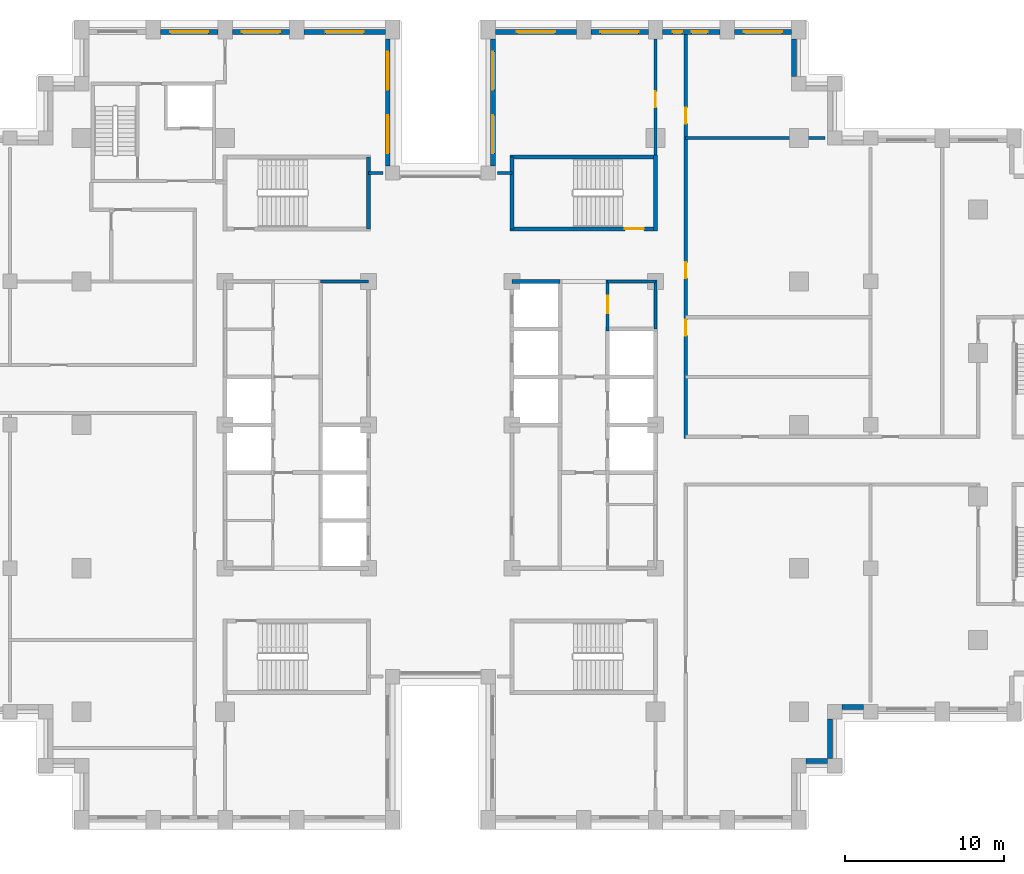
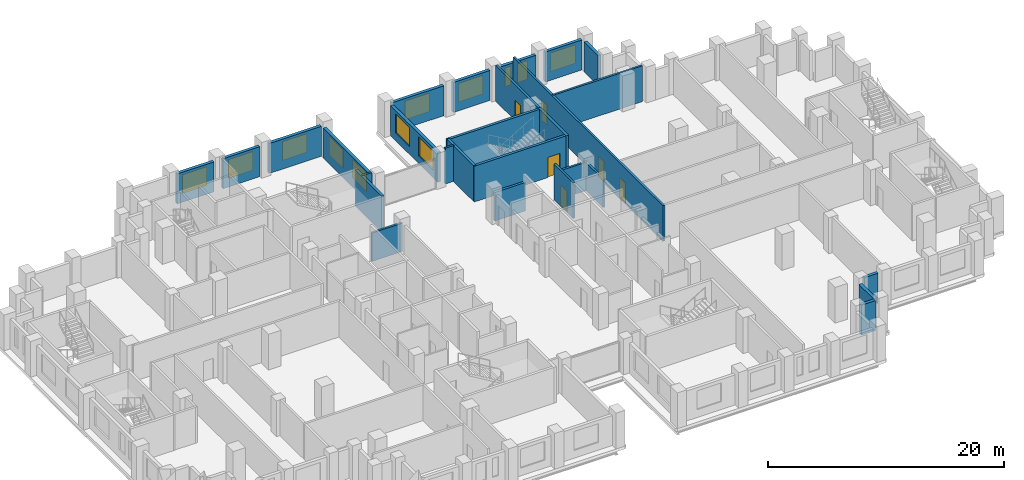
# One storey, part 10 of 15: 28 walls, 12 windows, 6 doors, 18 openings.
"""IFC4 building model written with IfcOpenShell, lengths in metres."""

from ifc_helpers import new_model, si_unit, direction, frame, frame_2d, origin, place, context, subcontext, project, spatial, rectangle, extrude, material, layer, layer_set, type_object, element, fill, save


model = new_model("IFC4")

# Units and contexts
model_context = context("Model", 3, precision=1e-05, world=origin(), true_north=direction((0.0, 1.0)))
body_context = subcontext(model_context, "Body", "Model", "MODEL_VIEW")
ifc_project = project(units=[si_unit("LENGTHUNIT", "METRE"), si_unit("AREAUNIT", "SQUARE_METRE"), si_unit("VOLUMEUNIT", "CUBIC_METRE"), si_unit("PLANEANGLEUNIT", "RADIAN"), si_unit("MASSUNIT", "GRAM", prefix="KILO")], contexts=[model_context])

# Site, building, storey
site_placement = place(None, origin())
site = spatial("IfcSite", under=ifc_project, at=site_placement, CompositionType="ELEMENT")
building_placement = place(site_placement, origin())
building = spatial("IfcBuilding", under=site, at=building_placement, Name="Corbelhall Arena Tower", CompositionType="ELEMENT")
storey_placement = place(building_placement, frame((0.0, 0.0, 84.0)))
storey = spatial("IfcBuildingStorey", under=building, at=storey_placement, Name="L13", CompositionType="ELEMENT", Elevation=84.0)

# Walls
ifc_material_1 = material(Name="Precast concrete C40/50 with granite facing", Category="masonry")
ifc_layer_1 = layer(ifc_material_1, 0.300048828125)
ifc_layer_set_1 = layer_set([ifc_layer_1], Name="EV-IW1 Infill panel 300")
wall_type_1 = type_object("IfcWallType", Name="EV-IW1 Infill panel 300", PredefinedType="SOLIDWALL", material=ifc_layer_set_1)
wall_1_placement = place(storey_placement, frame((22.949951171875, -21.10009765625, 0.0), z_axis=(0.0, 0.0, 1.0), x_axis=(1.0, 0.0, 0.0)))
element("IfcWall", 1, at=wall_1_placement, inside=storey, type_object=wall_type_1, Name="Infill panel IW1", PredefinedType="SOLIDWALL", context=body_context, shape_type="SweptSolid", body=[
    extrude(rectangle(XDim=1.35009765625, YDim=0.300048828125, at=frame_2d((0.675048828125, 0.0))), origin(), (0.0, 0.0, 1.0), 3.10009765625),
])
wall_2_placement = place(storey_placement, frame((24.449951171875, -20.949951171875, 0.0), z_axis=(0.0, 0.0, 1.0), x_axis=(0.0, 1.0, 0.0)))
element("IfcWall", 2, at=wall_2_placement, inside=storey, type_object=wall_type_1, Name="Infill panel IW1", PredefinedType="SOLIDWALL", context=body_context, shape_type="SweptSolid", body=[
    extrude(rectangle(XDim=2.5, YDim=0.300048828125, at=frame_2d((1.25, 0.0))), origin(), (0.0, 0.0, 1.0), 3.10009765625),
])
wall_3_placement = place(storey_placement, frame((25.199951171875, -17.699951171875, 0.0), z_axis=(0.0, 0.0, 1.0), x_axis=(1.0, 0.0, 0.0)))
element("IfcWall", 3, at=wall_3_placement, inside=storey, type_object=wall_type_1, Name="Infill panel IW1", PredefinedType="SOLIDWALL", context=body_context, shape_type="SweptSolid", body=[
    extrude(rectangle(XDim=1.35009765625, YDim=0.300048828125, at=frame_2d((0.675048828125, 0.0))), origin(), (0.0, 0.0, 1.0), 3.10009765625),
])
wall_4_placement = place(storey_placement, frame((22.199951171875, 21.85009765625, 0.0), z_axis=(0.0, 0.0, 1.0), x_axis=(0.0, 1.0, 0.0)))
element("IfcWall", 4, at=wall_4_placement, inside=storey, type_object=wall_type_1, Name="Infill panel IW1", PredefinedType="SOLIDWALL", context=body_context, shape_type="SweptSolid", body=[
    extrude(rectangle(XDim=2.349853515625, YDim=0.300048828125, at=frame_2d((1.1748046875, 0.0))), origin(), (0.0, 0.0, 1.0), 3.10009765625),
])

# Wall, opening, window
wall_5_placement = place(storey_placement, frame((22.050048828125, 24.64990234375, 0.0), z_axis=(0.0, 0.0, 1.0), x_axis=(-1.0, 0.0, 0.0)))
wall_5 = element("IfcWall", 5, at=wall_5_placement, inside=storey, type_object=wall_type_1, Name="Infill panel IW1", PredefinedType="SOLIDWALL", context=body_context, shape_type="SweptSolid", body=[
    extrude(rectangle(XDim=3.60009765625, YDim=0.300048828125, at=frame_2d((1.800048828125, 0.0))), origin(), (0.0, 0.0, 1.0), 3.10009765625),
])
opening_1_placement = place(wall_5_placement, frame((0.60009765625, 0.0, 0.800048828125)))
opening_1 = element("IfcOpeningElement", 6, at=opening_1_placement, cuts=wall_5, Name="Opening WN1", PredefinedType="OPENING", context=body_context, shape_type="SweptSolid", body=[
    extrude(rectangle(XDim=2.39990234375, YDim=1.949951171875, at=frame_2d((1.199951171875, 0.97509765625))), frame((0.0, 0.14990234375, 0.0), z_axis=(0.0, -1.0, 0.0), x_axis=(1.0, 0.0, 0.0)), (0.0, 0.0, 1.0), 0.300048828125),
])
ifc_material_2 = material(Name="Aluminium black anodised", Category="aluminium")
window_type_1 = type_object("IfcWindowType", Name="EV-WN1 Office window", PartitioningType="SINGLE_PANEL", PredefinedType="WINDOW", material=ifc_material_2)
window_1_placement = place(opening_1_placement, origin())
window_1 = element("IfcWindow", 7, at=window_1_placement, inside=storey, type_object=window_type_1, Name="Window WN1", OverallHeight=1.949951171875, OverallWidth=2.39990234375, PartitioningType="SINGLE_PANEL", PredefinedType="WINDOW", context=body_context, shape_type="SweptSolid", body=[
    extrude(rectangle(XDim=2.39990234375, YDim=1.949951171875, at=frame_2d((1.199951171875, 0.97509765625))), frame((0.0, 0.030029296875, 0.0), z_axis=(0.0, -1.0, 0.0), x_axis=(1.0, 0.0, 0.0)), (0.0, 0.0, 1.0), 0.06005859375),
])
fill(opening_1, window_1)

# Wall, openings, windows
wall_6_placement = place(storey_placement, frame((17.550048828125, 24.64990234375, 0.0), z_axis=(0.0, 0.0, 1.0), x_axis=(-1.0, 0.0, 0.0)))
wall_6 = element("IfcWall", 8, at=wall_6_placement, inside=storey, type_object=wall_type_1, Name="Infill panel IW1", PredefinedType="SOLIDWALL", context=body_context, shape_type="SweptSolid", body=[
    extrude(rectangle(XDim=3.60009765625, YDim=0.300048828125, at=frame_2d((1.800048828125, 0.0))), origin(), (0.0, 0.0, 1.0), 3.10009765625),
])
opening_2_placement = place(wall_6_placement, frame((0.77490234375, 0.0, 0.800048828125)))
opening_2 = element("IfcOpeningElement", 9, at=opening_2_placement, cuts=wall_6, Name="Opening WN6", PredefinedType="OPENING", context=body_context, shape_type="SweptSolid", body=[
    extrude(rectangle(XDim=1.0, YDim=1.949951171875, at=frame_2d((0.5, 0.97509765625))), frame((0.0, 0.14990234375, 0.0), z_axis=(0.0, -1.0, 0.0), x_axis=(1.0, 0.0, 0.0)), (0.0, 0.0, 1.0), 0.300048828125),
])
opening_3_placement = place(wall_6_placement, frame((2.375, 0.0, 0.800048828125)))
opening_3 = element("IfcOpeningElement", 10, at=opening_3_placement, cuts=wall_6, Name="Opening WN5", PredefinedType="OPENING", context=body_context, shape_type="SweptSolid", body=[
    extrude(rectangle(XDim=0.60009765625, YDim=1.949951171875, at=frame_2d((0.300048828125, 0.97509765625))), frame((0.0, 0.14990234375, 0.0), z_axis=(0.0, -1.0, 0.0), x_axis=(1.0, 0.0, 0.0)), (0.0, 0.0, 1.0), 0.300048828125),
])
window_type_2 = type_object("IfcWindowType", Name="EV-WN5 Office window 600", PartitioningType="SINGLE_PANEL", PredefinedType="WINDOW", material=ifc_material_2)
window_2_placement = place(opening_3_placement, origin())
window_2 = element("IfcWindow", 11, at=window_2_placement, inside=storey, type_object=window_type_2, Name="Window WN5", OverallHeight=1.949951171875, OverallWidth=0.60009765625, PartitioningType="SINGLE_PANEL", PredefinedType="WINDOW", context=body_context, shape_type="SweptSolid", body=[
    extrude(rectangle(XDim=0.60009765625, YDim=1.949951171875, at=frame_2d((0.300048828125, 0.97509765625))), frame((0.0, 0.030029296875, 0.0), z_axis=(0.0, -1.0, 0.0), x_axis=(1.0, 0.0, 0.0)), (0.0, 0.0, 1.0), 0.06005859375),
])
fill(opening_3, window_2)
window_type_3 = type_object("IfcWindowType", Name="EV-WN6 Office window 1000", PartitioningType="SINGLE_PANEL", PredefinedType="WINDOW", material=ifc_material_2)
window_3_placement = place(opening_2_placement, origin())
window_3 = element("IfcWindow", 12, at=window_3_placement, inside=storey, type_object=window_type_3, Name="Window WN6", OverallHeight=1.949951171875, OverallWidth=1.0, PartitioningType="SINGLE_PANEL", PredefinedType="WINDOW", context=body_context, shape_type="SweptSolid", body=[
    extrude(rectangle(XDim=1.0, YDim=1.949951171875, at=frame_2d((0.5, 0.97509765625))), frame((0.0, 0.030029296875, 0.0), z_axis=(0.0, -1.0, 0.0), x_axis=(1.0, 0.0, 0.0)), (0.0, 0.0, 1.0), 0.06005859375),
])
fill(opening_2, window_3)

# Wall, opening, window
wall_7_placement = place(storey_placement, frame((13.050048828125, 24.64990234375, 0.0), z_axis=(0.0, 0.0, 1.0), x_axis=(-1.0, 0.0, 0.0)))
wall_7 = element("IfcWall", 13, at=wall_7_placement, inside=storey, type_object=wall_type_1, Name="Infill panel IW1", PredefinedType="SOLIDWALL", context=body_context, shape_type="SweptSolid", body=[
    extrude(rectangle(XDim=3.60009765625, YDim=0.300048828125, at=frame_2d((1.800048828125, 0.0))), origin(), (0.0, 0.0, 1.0), 3.10009765625),
])
opening_4_placement = place(wall_7_placement, frame((0.60009765625, 0.0, 0.800048828125)))
opening_4 = element("IfcOpeningElement", 14, at=opening_4_placement, cuts=wall_7, Name="Opening WN1", PredefinedType="OPENING", context=body_context, shape_type="SweptSolid", body=[
    extrude(rectangle(XDim=2.39990234375, YDim=1.949951171875, at=frame_2d((1.199951171875, 0.97509765625))), frame((0.0, 0.14990234375, 0.0), z_axis=(0.0, -1.0, 0.0), x_axis=(1.0, 0.0, 0.0)), (0.0, 0.0, 1.0), 0.300048828125),
])
window_4_placement = place(opening_4_placement, origin())
window_4 = element("IfcWindow", 15, at=window_4_placement, inside=storey, type_object=window_type_1, Name="Window WN1", OverallHeight=1.949951171875, OverallWidth=2.39990234375, PartitioningType="SINGLE_PANEL", PredefinedType="WINDOW", context=body_context, shape_type="SweptSolid", body=[
    extrude(rectangle(XDim=2.39990234375, YDim=1.949951171875, at=frame_2d((1.199951171875, 0.97509765625))), frame((0.0, 0.030029296875, 0.0), z_axis=(0.0, -1.0, 0.0), x_axis=(1.0, 0.0, 0.0)), (0.0, 0.0, 1.0), 0.06005859375),
])
fill(opening_4, window_4)

wall_8_placement = place(storey_placement, frame((8.550048828125, 24.64990234375, 0.0), z_axis=(0.0, 0.0, 1.0), x_axis=(-1.0, 0.0, 0.0)))
wall_8 = element("IfcWall", 16, at=wall_8_placement, inside=storey, type_object=wall_type_1, Name="Infill panel IW1", PredefinedType="SOLIDWALL", context=body_context, shape_type="SweptSolid", body=[
    extrude(rectangle(XDim=5.10009765625, YDim=0.300048828125, at=frame_2d((2.550048828125, 0.0))), origin(), (0.0, 0.0, 1.0), 3.10009765625),
])
opening_5_placement = place(wall_8_placement, frame((1.35009765625, 0.0, 0.800048828125)))
opening_5 = element("IfcOpeningElement", 17, at=opening_5_placement, cuts=wall_8, Name="Opening WN1", PredefinedType="OPENING", context=body_context, shape_type="SweptSolid", body=[
    extrude(rectangle(XDim=2.39990234375, YDim=1.949951171875, at=frame_2d((1.199951171875, 0.97509765625))), frame((0.0, 0.14990234375, 0.0), z_axis=(0.0, -1.0, 0.0), x_axis=(1.0, 0.0, 0.0)), (0.0, 0.0, 1.0), 0.300048828125),
])
window_5_placement = place(opening_5_placement, origin())
window_5 = element("IfcWindow", 18, at=window_5_placement, inside=storey, type_object=window_type_1, Name="Window WN1", OverallHeight=1.949951171875, OverallWidth=2.39990234375, PartitioningType="SINGLE_PANEL", PredefinedType="WINDOW", context=body_context, shape_type="SweptSolid", body=[
    extrude(rectangle(XDim=2.39990234375, YDim=1.949951171875, at=frame_2d((1.199951171875, 0.97509765625))), frame((0.0, 0.030029296875, 0.0), z_axis=(0.0, -1.0, 0.0), x_axis=(1.0, 0.0, 0.0)), (0.0, 0.0, 1.0), 0.06005859375),
])
fill(opening_5, window_5)

# Wall, openings, windows
wall_9_placement = place(storey_placement, frame((3.300048828125, 24.199951171875, 0.0), z_axis=(0.0, 0.0, 1.0), x_axis=(0.0, -1.0, 0.0)))
wall_9 = element("IfcWall", 19, at=wall_9_placement, inside=storey, type_object=wall_type_1, Name="Infill panel IW1", PredefinedType="SOLIDWALL", context=body_context, shape_type="SweptSolid", body=[
    extrude(rectangle(XDim=7.949951171875, YDim=0.300048828125, at=frame_2d((3.97509765625, 0.0))), origin(), (0.0, 0.0, 1.0), 3.10009765625),
])
opening_6_placement = place(wall_9_placement, frame((0.78759765625, 0.0, 0.800048828125)))
opening_6 = element("IfcOpeningElement", 20, at=opening_6_placement, cuts=wall_9, Name="Opening WN1", PredefinedType="OPENING", context=body_context, shape_type="SweptSolid", body=[
    extrude(rectangle(XDim=2.39990234375, YDim=1.949951171875, at=frame_2d((1.199951171875, 0.97509765625))), frame((0.0, 0.14990234375, 0.0), z_axis=(0.0, -1.0, 0.0), x_axis=(1.0, 0.0, 0.0)), (0.0, 0.0, 1.0), 0.300048828125),
])
opening_7_placement = place(wall_9_placement, frame((4.762451171875, 0.0, 0.800048828125)))
opening_7 = element("IfcOpeningElement", 21, at=opening_7_placement, cuts=wall_9, Name="Opening WN1", PredefinedType="OPENING", context=body_context, shape_type="SweptSolid", body=[
    extrude(rectangle(XDim=2.39990234375, YDim=1.949951171875, at=frame_2d((1.199951171875, 0.97509765625))), frame((0.0, 0.14990234375, 0.0), z_axis=(0.0, -1.0, 0.0), x_axis=(1.0, 0.0, 0.0)), (0.0, 0.0, 1.0), 0.300048828125),
])
window_6_placement = place(opening_6_placement, origin())
window_6 = element("IfcWindow", 22, at=window_6_placement, inside=storey, type_object=window_type_1, Name="Window WN1", OverallHeight=1.949951171875, OverallWidth=2.39990234375, PartitioningType="SINGLE_PANEL", PredefinedType="WINDOW", context=body_context, shape_type="SweptSolid", body=[
    extrude(rectangle(XDim=2.39990234375, YDim=1.949951171875, at=frame_2d((1.199951171875, 0.97509765625))), frame((0.0, 0.030029296875, 0.0), z_axis=(0.0, -1.0, 0.0), x_axis=(1.0, 0.0, 0.0)), (0.0, 0.0, 1.0), 0.06005859375),
])
fill(opening_6, window_6)
window_7_placement = place(opening_7_placement, origin())
window_7 = element("IfcWindow", 23, at=window_7_placement, inside=storey, type_object=window_type_1, Name="Window WN1", OverallHeight=1.949951171875, OverallWidth=2.39990234375, PartitioningType="SINGLE_PANEL", PredefinedType="WINDOW", context=body_context, shape_type="SweptSolid", body=[
    extrude(rectangle(XDim=2.39990234375, YDim=1.949951171875, at=frame_2d((1.199951171875, 0.97509765625))), frame((0.0, 0.030029296875, 0.0), z_axis=(0.0, -1.0, 0.0), x_axis=(1.0, 0.0, 0.0)), (0.0, 0.0, 1.0), 0.06005859375),
])
fill(opening_7, window_7)

wall_10_placement = place(storey_placement, frame((-3.300048828125, 16.25, 0.0), z_axis=(0.0, 0.0, 1.0), x_axis=(0.0, 1.0, 0.0)))
wall_10 = element("IfcWall", 24, at=wall_10_placement, inside=storey, type_object=wall_type_1, Name="Infill panel IW1", PredefinedType="SOLIDWALL", context=body_context, shape_type="SweptSolid", body=[
    extrude(rectangle(XDim=7.949951171875, YDim=0.300048828125, at=frame_2d((3.97509765625, 0.0))), origin(), (0.0, 0.0, 1.0), 3.10009765625),
])
opening_8_placement = place(wall_10_placement, frame((0.78759765625, 0.0, 0.800048828125)))
opening_8 = element("IfcOpeningElement", 25, at=opening_8_placement, cuts=wall_10, Name="Opening WN1", PredefinedType="OPENING", context=body_context, shape_type="SweptSolid", body=[
    extrude(rectangle(XDim=2.39990234375, YDim=1.949951171875, at=frame_2d((1.199951171875, 0.97509765625))), frame((0.0, 0.14990234375, 0.0), z_axis=(0.0, -1.0, 0.0), x_axis=(1.0, 0.0, 0.0)), (0.0, 0.0, 1.0), 0.300048828125),
])
opening_9_placement = place(wall_10_placement, frame((4.762451171875, 0.0, 0.800048828125)))
opening_9 = element("IfcOpeningElement", 26, at=opening_9_placement, cuts=wall_10, Name="Opening WN1", PredefinedType="OPENING", context=body_context, shape_type="SweptSolid", body=[
    extrude(rectangle(XDim=2.39990234375, YDim=1.949951171875, at=frame_2d((1.199951171875, 0.97509765625))), frame((0.0, 0.14990234375, 0.0), z_axis=(0.0, -1.0, 0.0), x_axis=(1.0, 0.0, 0.0)), (0.0, 0.0, 1.0), 0.300048828125),
])
window_8_placement = place(opening_8_placement, origin())
window_8 = element("IfcWindow", 27, at=window_8_placement, inside=storey, type_object=window_type_1, Name="Window WN1", OverallHeight=1.949951171875, OverallWidth=2.39990234375, PartitioningType="SINGLE_PANEL", PredefinedType="WINDOW", context=body_context, shape_type="SweptSolid", body=[
    extrude(rectangle(XDim=2.39990234375, YDim=1.949951171875, at=frame_2d((1.199951171875, 0.97509765625))), frame((0.0, 0.030029296875, 0.0), z_axis=(0.0, -1.0, 0.0), x_axis=(1.0, 0.0, 0.0)), (0.0, 0.0, 1.0), 0.06005859375),
])
fill(opening_8, window_8)
window_9_placement = place(opening_9_placement, origin())
window_9 = element("IfcWindow", 28, at=window_9_placement, inside=storey, type_object=window_type_1, Name="Window WN1", OverallHeight=1.949951171875, OverallWidth=2.39990234375, PartitioningType="SINGLE_PANEL", PredefinedType="WINDOW", context=body_context, shape_type="SweptSolid", body=[
    extrude(rectangle(XDim=2.39990234375, YDim=1.949951171875, at=frame_2d((1.199951171875, 0.97509765625))), frame((0.0, 0.030029296875, 0.0), z_axis=(0.0, -1.0, 0.0), x_axis=(1.0, 0.0, 0.0)), (0.0, 0.0, 1.0), 0.06005859375),
])
fill(opening_9, window_9)

# Wall, opening, window
wall_11_placement = place(storey_placement, frame((-3.449951171875, 24.64990234375, 0.0), z_axis=(0.0, 0.0, 1.0), x_axis=(-1.0, 0.0, 0.0)))
wall_11 = element("IfcWall", 29, at=wall_11_placement, inside=storey, type_object=wall_type_1, Name="Infill panel IW1", PredefinedType="SOLIDWALL", context=body_context, shape_type="SweptSolid", body=[
    extrude(rectangle(XDim=5.10009765625, YDim=0.300048828125, at=frame_2d((2.550048828125, 0.0))), origin(), (0.0, 0.0, 1.0), 3.10009765625),
])
opening_10_placement = place(wall_11_placement, frame((1.35009765625, 0.0, 0.800048828125)))
opening_10 = element("IfcOpeningElement", 30, at=opening_10_placement, cuts=wall_11, Name="Opening WN1", PredefinedType="OPENING", context=body_context, shape_type="SweptSolid", body=[
    extrude(rectangle(XDim=2.39990234375, YDim=1.949951171875, at=frame_2d((1.199951171875, 0.97509765625))), frame((0.0, 0.14990234375, 0.0), z_axis=(0.0, -1.0, 0.0), x_axis=(1.0, 0.0, 0.0)), (0.0, 0.0, 1.0), 0.300048828125),
])
window_10_placement = place(opening_10_placement, origin())
window_10 = element("IfcWindow", 31, at=window_10_placement, inside=storey, type_object=window_type_1, Name="Window WN1", OverallHeight=1.949951171875, OverallWidth=2.39990234375, PartitioningType="SINGLE_PANEL", PredefinedType="WINDOW", context=body_context, shape_type="SweptSolid", body=[
    extrude(rectangle(XDim=2.39990234375, YDim=1.949951171875, at=frame_2d((1.199951171875, 0.97509765625))), frame((0.0, 0.030029296875, 0.0), z_axis=(0.0, -1.0, 0.0), x_axis=(1.0, 0.0, 0.0)), (0.0, 0.0, 1.0), 0.06005859375),
])
fill(opening_10, window_10)

wall_12_placement = place(storey_placement, frame((-9.449951171875, 24.64990234375, 0.0), z_axis=(0.0, 0.0, 1.0), x_axis=(-1.0, 0.0, 0.0)))
wall_12 = element("IfcWall", 32, at=wall_12_placement, inside=storey, type_object=wall_type_1, Name="Infill panel IW1", PredefinedType="SOLIDWALL", context=body_context, shape_type="SweptSolid", body=[
    extrude(rectangle(XDim=3.60009765625, YDim=0.300048828125, at=frame_2d((1.800048828125, 0.0))), origin(), (0.0, 0.0, 1.0), 3.10009765625),
])
opening_11_placement = place(wall_12_placement, frame((0.60009765625, 0.0, 0.800048828125)))
opening_11 = element("IfcOpeningElement", 33, at=opening_11_placement, cuts=wall_12, Name="Opening WN1", PredefinedType="OPENING", context=body_context, shape_type="SweptSolid", body=[
    extrude(rectangle(XDim=2.39990234375, YDim=1.949951171875, at=frame_2d((1.199951171875, 0.97509765625))), frame((0.0, 0.14990234375, 0.0), z_axis=(0.0, -1.0, 0.0), x_axis=(1.0, 0.0, 0.0)), (0.0, 0.0, 1.0), 0.300048828125),
])
window_11_placement = place(opening_11_placement, origin())
window_11 = element("IfcWindow", 34, at=window_11_placement, inside=storey, type_object=window_type_1, Name="Window WN1", OverallHeight=1.949951171875, OverallWidth=2.39990234375, PartitioningType="SINGLE_PANEL", PredefinedType="WINDOW", context=body_context, shape_type="SweptSolid", body=[
    extrude(rectangle(XDim=2.39990234375, YDim=1.949951171875, at=frame_2d((1.199951171875, 0.97509765625))), frame((0.0, 0.030029296875, 0.0), z_axis=(0.0, -1.0, 0.0), x_axis=(1.0, 0.0, 0.0)), (0.0, 0.0, 1.0), 0.06005859375),
])
fill(opening_11, window_11)

wall_13_placement = place(storey_placement, frame((-13.949951171875, 24.64990234375, 0.0), z_axis=(0.0, 0.0, 1.0), x_axis=(-1.0, 0.0, 0.0)))
wall_13 = element("IfcWall", 35, at=wall_13_placement, inside=storey, type_object=wall_type_1, Name="Infill panel IW1", PredefinedType="SOLIDWALL", context=body_context, shape_type="SweptSolid", body=[
    extrude(rectangle(XDim=3.60009765625, YDim=0.300048828125, at=frame_2d((1.800048828125, 0.0))), origin(), (0.0, 0.0, 1.0), 3.10009765625),
])
opening_12_placement = place(wall_13_placement, frame((0.60009765625, 0.0, 0.800048828125)))
opening_12 = element("IfcOpeningElement", 36, at=opening_12_placement, cuts=wall_13, Name="Opening WN1", PredefinedType="OPENING", context=body_context, shape_type="SweptSolid", body=[
    extrude(rectangle(XDim=2.39990234375, YDim=1.949951171875, at=frame_2d((1.199951171875, 0.97509765625))), frame((0.0, 0.14990234375, 0.0), z_axis=(0.0, -1.0, 0.0), x_axis=(1.0, 0.0, 0.0)), (0.0, 0.0, 1.0), 0.300048828125),
])
window_12_placement = place(opening_12_placement, origin())
window_12 = element("IfcWindow", 37, at=window_12_placement, inside=storey, type_object=window_type_1, Name="Window WN1", OverallHeight=1.949951171875, OverallWidth=2.39990234375, PartitioningType="SINGLE_PANEL", PredefinedType="WINDOW", context=body_context, shape_type="SweptSolid", body=[
    extrude(rectangle(XDim=2.39990234375, YDim=1.949951171875, at=frame_2d((1.199951171875, 0.97509765625))), frame((0.0, 0.030029296875, 0.0), z_axis=(0.0, -1.0, 0.0), x_axis=(1.0, 0.0, 0.0)), (0.0, 0.0, 1.0), 0.06005859375),
])
fill(opening_12, window_12)

# Walls
ifc_material_3 = material(Name="Gypsum board on steel stud, acoustic", Category="steel")
ifc_layer_2 = layer(ifc_material_3, 0.199951171875)
ifc_layer_set_2 = layer_set([ifc_layer_2], Name="IN-W-DM200")
wall_type_2 = type_object("IfcWallType", Name="IN-W-DM200", PredefinedType="PARTITIONING", material=ifc_layer_set_2)
for number, where, z_axis, x_axis, name in (
    (38, (-4.5, 15.800048828125, 0.0), (0.0, 0.0, 1.0), (1.0, 0.0, 0.0), "Partition 022"),
    (39, (3.60009765625, 15.800048828125, 0.0), (0.0, 0.0, 1.0), (1.0, 0.0, 0.0), "Partition 024"),
):
    element("IfcWall", number, at=place(storey_placement, frame(where, z_axis=z_axis, x_axis=x_axis)), inside=storey, type_object=wall_type_2, Name=name, PredefinedType="PARTITIONING", context=body_context, shape_type="SweptSolid", body=[
        extrude(rectangle(XDim=0.89990234375, YDim=0.199951171875, at=frame_2d((0.449951171875, 0.0))), origin(), (0.0, 0.0, 1.0), 3.699951171875),
    ])

# Wall, opening, door
wall_14_placement = place(storey_placement, frame((13.5, 16.675048828125, 0.0), z_axis=(0.0, 0.0, 1.0), x_axis=(0.0, 1.0, 0.0)))
wall_14 = element("IfcWall", 40, at=wall_14_placement, inside=storey, type_object=wall_type_2, Name="Partition 027", PredefinedType="PARTITIONING", context=body_context, shape_type="SweptSolid", body=[
    extrude(rectangle(XDim=7.52490234375, YDim=0.199951171875, at=frame_2d((3.762451171875, 0.0))), origin(), (0.0, 0.0, 1.0), 3.699951171875),
])
opening_13_placement = place(wall_14_placement, frame((3.25, 0.0, 0.0)))
opening_13 = element("IfcOpeningElement", 41, at=opening_13_placement, cuts=wall_14, Name="Opening 02023", PredefinedType="OPENING", context=body_context, shape_type="SweptSolid", body=[
    extrude(rectangle(XDim=1.0, YDim=2.10009765625, at=frame_2d((0.5, 1.050048828125))), frame((0.0, 0.10009765625, 0.0), z_axis=(0.0, -1.0, 0.0), x_axis=(1.0, 0.0, 0.0)), (0.0, 0.0, 1.0), 0.199951171875),
])
ifc_material_4 = material(Name="Steel door set", Category="steel")
door_type_1 = type_object("IfcDoorType", Name="IN-D-SW100", OperationType="NOTDEFINED", PredefinedType="DOOR", material=ifc_material_4)
door_1_placement = place(opening_13_placement, origin())
door_1 = element("IfcDoor", 42, at=door_1_placement, inside=storey, type_object=door_type_1, Name="Door 023", OperationType="SINGLE_SWING_RIGHT", OverallHeight=2.10009765625, OverallWidth=1.0, PredefinedType="DOOR", context=body_context, shape_type="SweptSolid", body=[
    extrude(rectangle(XDim=1.0, YDim=2.10009765625, at=frame_2d((0.5, 1.050048828125))), frame((0.0, 0.02490234375, 0.0), z_axis=(0.0, -1.0, 0.0), x_axis=(1.0, 0.0, 0.0)), (0.0, 0.0, 1.0), 0.050048828125),
])
fill(opening_13, door_1)

# Wall, openings, doors
wall_15_placement = place(storey_placement, frame((15.39990234375, 24.5, 0.0), z_axis=(0.0, 0.0, 1.0), x_axis=(0.0, -1.0, 0.0)))
wall_15 = element("IfcWall", 43, at=wall_15_placement, inside=storey, type_object=wall_type_2, Name="Partition 031", PredefinedType="PARTITIONING", context=body_context, shape_type="SweptSolid", body=[
    extrude(rectangle(XDim=25.35009765625, YDim=0.199951171875, at=frame_2d((12.675048828125, 0.0))), origin(), (0.0, 0.0, 1.0), 3.699951171875),
])
opening_14_placement = place(wall_15_placement, frame((17.89990234375, 0.0, 0.0)))
opening_14 = element("IfcOpeningElement", 44, at=opening_14_placement, cuts=wall_15, Name="Opening 02033", PredefinedType="OPENING", context=body_context, shape_type="SweptSolid", body=[
    extrude(rectangle(XDim=1.0, YDim=2.10009765625, at=frame_2d((0.5, 1.050048828125))), frame((0.0, 0.10009765625, 0.0), z_axis=(0.0, -1.0, 0.0), x_axis=(1.0, 0.0, 0.0)), (0.0, 0.0, 1.0), 0.199951171875),
])
opening_15_placement = place(wall_15_placement, frame((14.300048828125, 0.0, 0.0)))
opening_15 = element("IfcOpeningElement", 45, at=opening_15_placement, cuts=wall_15, Name="Opening 02034", PredefinedType="OPENING", context=body_context, shape_type="SweptSolid", body=[
    extrude(rectangle(XDim=1.0, YDim=2.10009765625, at=frame_2d((0.5, 1.050048828125))), frame((0.0, 0.10009765625, 0.0), z_axis=(0.0, -1.0, 0.0), x_axis=(1.0, 0.0, 0.0)), (0.0, 0.0, 1.0), 0.199951171875),
])
opening_16_placement = place(wall_15_placement, frame((4.60009765625, 0.0, 0.0)))
opening_16 = element("IfcOpeningElement", 46, at=opening_16_placement, cuts=wall_15, Name="Opening 02035", PredefinedType="OPENING", context=body_context, shape_type="SweptSolid", body=[
    extrude(rectangle(XDim=1.0, YDim=2.10009765625, at=frame_2d((0.5, 1.050048828125))), frame((0.0, 0.10009765625, 0.0), z_axis=(0.0, -1.0, 0.0), x_axis=(1.0, 0.0, 0.0)), (0.0, 0.0, 1.0), 0.199951171875),
])
door_2_placement = place(opening_14_placement, origin())
door_2 = element("IfcDoor", 47, at=door_2_placement, inside=storey, type_object=door_type_1, Name="Door 033", OperationType="SINGLE_SWING_RIGHT", OverallHeight=2.10009765625, OverallWidth=1.0, PredefinedType="DOOR", context=body_context, shape_type="SweptSolid", body=[
    extrude(rectangle(XDim=1.0, YDim=2.10009765625, at=frame_2d((0.5, 1.050048828125))), frame((0.0, 0.02490234375, 0.0), z_axis=(0.0, -1.0, 0.0), x_axis=(1.0, 0.0, 0.0)), (0.0, 0.0, 1.0), 0.050048828125),
])
fill(opening_14, door_2)
door_3_placement = place(opening_15_placement, origin())
door_3 = element("IfcDoor", 48, at=door_3_placement, inside=storey, type_object=door_type_1, Name="Door 034", OperationType="SINGLE_SWING_LEFT", OverallHeight=2.10009765625, OverallWidth=1.0, PredefinedType="DOOR", context=body_context, shape_type="SweptSolid", body=[
    extrude(rectangle(XDim=1.0, YDim=2.10009765625, at=frame_2d((0.5, 1.050048828125))), frame((0.0, 0.02490234375, 0.0), z_axis=(0.0, -1.0, 0.0), x_axis=(1.0, 0.0, 0.0)), (0.0, 0.0, 1.0), 0.050048828125),
])
fill(opening_15, door_3)
door_4_placement = place(opening_16_placement, origin())
door_4 = element("IfcDoor", 49, at=door_4_placement, inside=storey, type_object=door_type_1, Name="Door 035", OperationType="SINGLE_SWING_RIGHT", OverallHeight=2.10009765625, OverallWidth=1.0, PredefinedType="DOOR", context=body_context, shape_type="SweptSolid", body=[
    extrude(rectangle(XDim=1.0, YDim=2.10009765625, at=frame_2d((0.5, 1.050048828125))), frame((0.0, 0.02490234375, 0.0), z_axis=(0.0, -1.0, 0.0), x_axis=(1.0, 0.0, 0.0)), (0.0, 0.0, 1.0), 0.050048828125),
])
fill(opening_16, door_4)

# Wall
wall_16_placement = place(storey_placement, frame((15.39990234375, 18.0, 0.0), z_axis=(0.0, 0.0, 1.0), x_axis=(1.0, 0.0, 0.0)))
element("IfcWall", 50, at=wall_16_placement, inside=storey, type_object=wall_type_2, Name="Partition 033", PredefinedType="PARTITIONING", context=body_context, shape_type="SweptSolid", body=[
    extrude(rectangle(XDim=8.75, YDim=0.199951171875, at=frame_2d((4.375, 0.0))), origin(), (0.0, 0.0, 1.0), 3.699951171875),
])

# Wall, opening, door
ifc_material_5 = material(Name="Concrete block wall", Category="concrete")
ifc_layer_3 = layer(ifc_material_5, 0.199951171875)
ifc_layer_set_3 = layer_set([ifc_layer_3], Name="IN-W-RS200")
wall_type_3 = type_object("IfcWallType", Name="IN-W-RS200", PredefinedType="SOLIDWALL", material=ifc_layer_set_3)
wall_17_placement = place(storey_placement, frame((10.5, 9.10009765625, 0.0), z_axis=(0.0, 0.0, 1.0), x_axis=(0.0, -1.0, 0.0)))
wall_17 = element("IfcWall", 51, at=wall_17_placement, inside=storey, type_object=wall_type_3, Name="Partition 055", PredefinedType="SOLIDWALL", context=body_context, shape_type="SweptSolid", body=[
    extrude(rectangle(XDim=3.22509765625, YDim=0.199951171875, at=frame_2d((1.612548828125, 0.0))), origin(), (0.0, 0.0, 1.0), 3.699951171875),
])
opening_17_placement = place(wall_17_placement, frame((1.0, 0.0, 0.0)))
opening_17 = element("IfcOpeningElement", 52, at=opening_17_placement, cuts=wall_17, Name="Opening 02013", PredefinedType="OPENING", context=body_context, shape_type="SweptSolid", body=[
    extrude(rectangle(XDim=1.10009765625, YDim=2.10009765625, at=frame_2d((0.550048828125, 1.050048828125))), frame((0.0, 0.10009765625, 0.0), z_axis=(0.0, -1.0, 0.0), x_axis=(1.0, 0.0, 0.0)), (0.0, 0.0, 1.0), 0.199951171875),
])
door_type_2 = type_object("IfcDoorType", Name="IN-D-FD110", OperationType="NOTDEFINED", PredefinedType="DOOR", material=ifc_material_4)
door_5_placement = place(opening_17_placement, origin())
door_5 = element("IfcDoor", 53, at=door_5_placement, inside=storey, type_object=door_type_2, Name="Door 013", OperationType="SINGLE_SWING_RIGHT", OverallHeight=2.10009765625, OverallWidth=1.10009765625, PredefinedType="DOOR", context=body_context, shape_type="SweptSolid", body=[
    extrude(rectangle(XDim=1.10009765625, YDim=2.10009765625, at=frame_2d((0.550048828125, 1.050048828125))), frame((0.0, 0.02490234375, 0.0), z_axis=(0.0, -1.0, 0.0), x_axis=(1.0, 0.0, 0.0)), (0.0, 0.0, 1.0), 0.050048828125),
])
fill(opening_17, door_5)

# Walls
ifc_layer_4 = layer(ifc_material_5, 0.199951171875)
ifc_layer_set_4 = layer_set([ifc_layer_4], Name="IN-W-RS200 under beam 762 mm")
wall_type_4 = type_object("IfcWallType", Name="IN-W-RS200 under beam 762 mm", PredefinedType="SOLIDWALL", material=ifc_layer_set_4)
for number, where, z_axis, x_axis, name in (
    (54, (-7.5, 9.0, 0.0), (0.0, 0.0, 1.0), (1.0, 0.0, 0.0), "Partition 048"),
    (55, (10.5, 9.0, 0.0), (0.0, 0.0, 1.0), (1.0, 0.0, 0.0), "Partition 054"),
):
    element("IfcWall", number, at=place(storey_placement, frame(where, z_axis=z_axis, x_axis=x_axis)), inside=storey, type_object=wall_type_4, Name=name, PredefinedType="SOLIDWALL", context=body_context, shape_type="SweptSolid", body=[
        extrude(rectangle(XDim=3.0, YDim=0.199951171875, at=frame_2d((1.5, 0.0))), origin(), (0.0, 0.0, 1.0), 2.93798828125),
    ])
wall_18_placement = place(storey_placement, frame((13.5, 9.10009765625, 0.0), z_axis=(0.0, 0.0, 1.0), x_axis=(0.0, -1.0, 0.0)))
element("IfcWall", 56, at=wall_18_placement, inside=storey, type_object=wall_type_4, Name="Partition 057", PredefinedType="SOLIDWALL", context=body_context, shape_type="SweptSolid", body=[
    extrude(rectangle(XDim=3.10009765625, YDim=0.199951171875, at=frame_2d((1.550048828125, 0.0))), origin(), (0.0, 0.0, 1.0), 2.93798828125),
])
ifc_material_6 = material(Name="Concrete C40/50", Category="concrete")
ifc_layer_5 = layer(ifc_material_6, 0.25)
ifc_layer_set_5 = layer_set([ifc_layer_5], Name="IN-W-SH250 under beam 762 mm")
wall_type_5 = type_object("IfcWallType", Name="IN-W-SH250 under beam 762 mm", PredefinedType="SOLIDWALL", material=ifc_layer_set_5)
wall_19_placement = place(storey_placement, frame((4.5, 9.0, 0.0), z_axis=(0.0, 0.0, 1.0), x_axis=(1.0, 0.0, 0.0)))
element("IfcWall", 57, at=wall_19_placement, inside=storey, type_object=wall_type_5, Name="Shaft wall 072", PredefinedType="SOLIDWALL", context=body_context, shape_type="SweptSolid", body=[
    extrude(rectangle(XDim=3.0, YDim=0.25, at=frame_2d((1.5, 0.0))), origin(), (0.0, 0.0, 1.0), 2.93798828125),
])
ifc_layer_6 = layer(ifc_material_6, 0.25)
ifc_layer_set_6 = layer_set([ifc_layer_6], Name="IN-W-ST250")
wall_type_6 = type_object("IfcWallType", Name="IN-W-ST250", PredefinedType="SOLIDWALL", material=ifc_layer_set_6)
wall_20_placement = place(storey_placement, frame((-4.5, 16.800048828125, 0.0), z_axis=(0.0, 0.0, 1.0), x_axis=(0.0, -1.0, 0.0)))
element("IfcWall", 58, at=wall_20_placement, inside=storey, type_object=wall_type_6, Name="Shaft wall 091", PredefinedType="SOLIDWALL", context=body_context, shape_type="SweptSolid", body=[
    extrude(rectangle(XDim=4.5, YDim=0.25, at=frame_2d((2.25, 0.0))), origin(), (0.0, 0.0, 1.0), 3.699951171875),
])

# Wall, opening, door
wall_21_placement = place(storey_placement, frame((4.375, 12.300048828125, 0.0), z_axis=(0.0, 0.0, 1.0), x_axis=(1.0, 0.0, 0.0)))
wall_21 = element("IfcWall", 59, at=wall_21_placement, inside=storey, type_object=wall_type_6, Name="Shaft wall 093", PredefinedType="SOLIDWALL", context=body_context, shape_type="SweptSolid", body=[
    extrude(rectangle(XDim=9.125, YDim=0.25, at=frame_2d((4.5625, 0.0))), origin(), (0.0, 0.0, 1.0), 3.699951171875),
])
opening_18_placement = place(wall_21_placement, frame((7.199951171875, 0.0, 0.0)))
opening_18 = element("IfcOpeningElement", 60, at=opening_18_placement, cuts=wall_21, Name="Opening 02016", PredefinedType="OPENING", context=body_context, shape_type="SweptSolid", body=[
    extrude(rectangle(XDim=1.199951171875, YDim=2.10009765625, at=frame_2d((0.60009765625, 1.050048828125))), frame((0.0, 0.125, 0.0), z_axis=(0.0, -1.0, 0.0), x_axis=(1.0, 0.0, 0.0)), (0.0, 0.0, 1.0), 0.25),
])
door_type_3 = type_object("IfcDoorType", Name="IN-D-ST120", OperationType="NOTDEFINED", PredefinedType="DOOR", material=ifc_material_4)
door_6_placement = place(opening_18_placement, origin())
door_6 = element("IfcDoor", 61, at=door_6_placement, inside=storey, type_object=door_type_3, Name="Door 016", OperationType="SINGLE_SWING_LEFT", OverallHeight=2.10009765625, OverallWidth=1.199951171875, PredefinedType="DOOR", context=body_context, shape_type="SweptSolid", body=[
    extrude(rectangle(XDim=1.199951171875, YDim=2.10009765625, at=frame_2d((0.60009765625, 1.050048828125))), frame((0.0, 0.02490234375, 0.0), z_axis=(0.0, -1.0, 0.0), x_axis=(1.0, 0.0, 0.0)), (0.0, 0.0, 1.0), 0.050048828125),
])
fill(opening_18, door_6)

# Walls
wall_22_placement = place(storey_placement, frame((4.375, 16.800048828125, 0.0), z_axis=(0.0, 0.0, 1.0), x_axis=(1.0, 0.0, 0.0)))
element("IfcWall", 62, at=wall_22_placement, inside=storey, type_object=wall_type_6, Name="Shaft wall 094", PredefinedType="SOLIDWALL", context=body_context, shape_type="SweptSolid", body=[
    extrude(rectangle(XDim=9.125, YDim=0.25, at=frame_2d((4.5625, 0.0))), origin(), (0.0, 0.0, 1.0), 3.699951171875),
])
wall_23_placement = place(storey_placement, frame((4.5, 12.300048828125, 0.0), z_axis=(0.0, 0.0, 1.0), x_axis=(0.0, 1.0, 0.0)))
element("IfcWall", 63, at=wall_23_placement, inside=storey, type_object=wall_type_6, Name="Shaft wall 096", PredefinedType="SOLIDWALL", context=body_context, shape_type="SweptSolid", body=[
    extrude(rectangle(XDim=4.5, YDim=0.25, at=frame_2d((2.25, 0.0))), origin(), (0.0, 0.0, 1.0), 3.699951171875),
])
wall_24_placement = place(storey_placement, frame((13.5, 12.175048828125, 0.0), z_axis=(0.0, 0.0, 1.0), x_axis=(0.0, 1.0, 0.0)))
element("IfcWall", 64, at=wall_24_placement, inside=storey, type_object=wall_type_6, Name="Shaft wall 100", PredefinedType="SOLIDWALL", context=body_context, shape_type="SweptSolid", body=[
    extrude(rectangle(XDim=4.75, YDim=0.25, at=frame_2d((2.375, 0.0))), origin(), (0.0, 0.0, 1.0), 3.699951171875),
])

save(model, "model.ifc")
